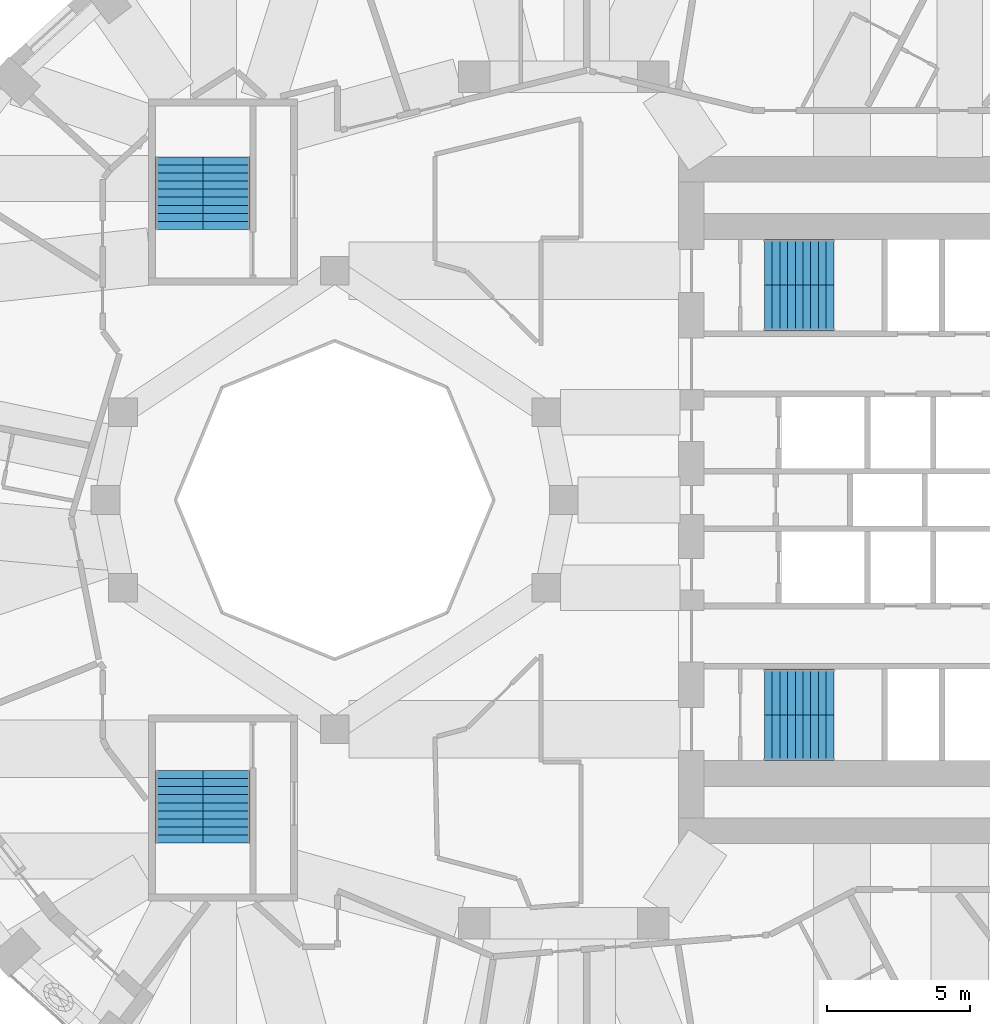
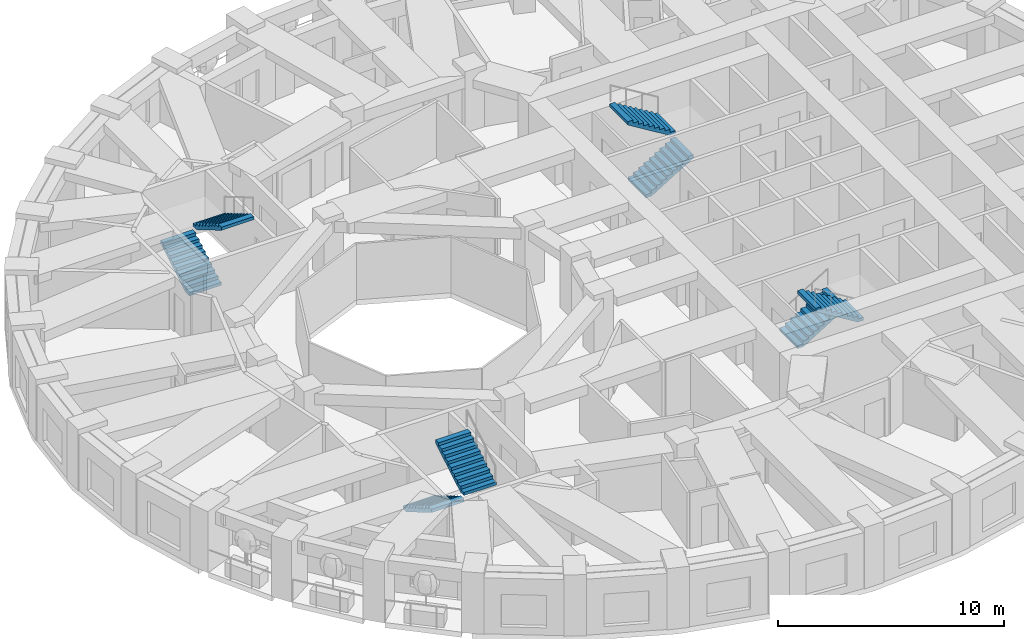
# One storey, part 9 of 12: 8 stair flights, 4 elements without a shape of their own.
"""IFC4 building model written with IfcOpenShell, lengths in metres."""

from ifc_helpers import new_model, si_unit, direction, frame, origin, place, context, subcontext, project, spatial, polyline, outline, extrude, material, type_object, element, aggregate, save


model = new_model("IFC4")

# Units and contexts
model_context = context("Model", 3, precision=1e-05, world=origin(), true_north=direction((0.0, 1.0)))
body_context = subcontext(model_context, "Body", "Model", "MODEL_VIEW")
ifc_project = project(units=[si_unit("LENGTHUNIT", "METRE"), si_unit("AREAUNIT", "SQUARE_METRE"), si_unit("VOLUMEUNIT", "CUBIC_METRE"), si_unit("PLANEANGLEUNIT", "RADIAN"), si_unit("MASSUNIT", "GRAM", prefix="KILO")], contexts=[model_context])

# Site, building, storey
site_placement = place(None, origin())
site = spatial("IfcSite", under=ifc_project, at=site_placement, CompositionType="ELEMENT")
building_placement = place(site_placement, origin())
building = spatial("IfcBuilding", under=site, at=building_placement, Name="Taillehof Tower", CompositionType="ELEMENT")
storey_placement = place(building_placement, frame((0.0, 0.0, 92.199951171875)))
storey = spatial("IfcBuildingStorey", under=building, at=storey_placement, Name="L25", CompositionType="ELEMENT", Elevation=92.199951171875)

# Stair, stair flights
ifc_material_1 = material(Name="Concrete C40/50", Category="concrete")
stair_type = type_object("IfcStairType", Name="Exit stair half-turn", PredefinedType="HALF_TURN_STAIR", material=ifc_material_1)
stair_1_placement = place(storey_placement, origin())
stair_1 = element("IfcStair", 1, at=stair_1_placement, inside=storey, type_object=stair_type, Name="Exit stair S1", PredefinedType="HALF_TURN_STAIR")
ifc_material_2 = material(Name="Concrete C40/50", Category="concrete")
stair_flight_type_1 = type_object("IfcStairFlightType", Name="Stair flight 1600 riser 165.0 going 270", PredefinedType="STRAIGHT", material=ifc_material_2)
stair_flight_1_placement = place(storey_placement, frame((7.0, 6.699951171875, 0.0), z_axis=(0.0, 0.0, 1.0), x_axis=(1.0, 0.0, 0.0)))
stair_flight_1 = element("IfcStairFlight", 2, at=stair_flight_1_placement, type_object=stair_flight_type_1, Name="S1 flight 1", NumberOfRisers=10, NumberOfTreads=9, PredefinedType="STRAIGHT", RiserHeight=0.165, TreadLength=0.27, context=body_context, shape_type="SweptSolid", body=[
    extrude(outline(polyline([(0.0, 0.0), (0.0, 0.00537109375), (0.0, 0.0107421875), (0.0, 0.015869140625), (0.0, 0.021240234375), (0.0, 0.026611328125), (0.0, 0.031982421875), (0.0, 0.037353515625), (0.0, 0.04248046875), (0.0, 0.0478515625), (0.0, 0.05322265625), (0.0, 0.05859375), (0.0, 0.06396484375), (0.0, 0.069091796875), (0.0, 0.074462890625), (0.0, 0.079833984375), (0.0, 0.085205078125), (0.0, 0.090576171875), (0.0, 0.095703125), (0.0, 0.10107421875), (0.0, 0.1064453125), (0.0, 0.11181640625), (0.0, 0.1171875), (0.0, 0.122314453125), (0.0, 0.127685546875), (0.0, 0.133056640625), (0.0, 0.138427734375), (0.0, 0.143798828125), (0.0, 0.14892578125), (0.0, 0.154296875), (0.0, 0.15966796875), (0.0, 0.1650390625), (0.27001953125, 0.1650390625), (0.27001953125, 0.330078125), (0.5400390625, 0.330078125), (0.5400390625, 0.4951171875), (0.81005859375, 0.4951171875), (0.81005859375, 0.659912109375), (1.080078125, 0.659912109375), (1.080078125, 0.824951171875), (1.35009765625, 0.824951171875), (1.35009765625, 0.989990234375), (1.6201171875, 0.989990234375), (1.6201171875, 1.155029296875), (1.889892578125, 1.155029296875), (1.889892578125, 1.320068359375), (2.159912109375, 1.320068359375), (2.159912109375, 1.485107421875), (2.429931640625, 1.485107421875), (2.429931640625, 1.479248046875), (2.429931640625, 1.4736328125), (2.429931640625, 1.468017578125), (2.429931640625, 1.46240234375), (2.429931640625, 1.45654296875), (2.429931640625, 1.450927734375), (2.429931640625, 1.4453125), (2.429931640625, 1.439697265625), (2.429931640625, 1.43408203125), (2.429931640625, 1.42822265625), (2.429931640625, 1.422607421875), (2.429931640625, 1.4169921875), (2.429931640625, 1.411376953125), (2.429931640625, 1.40576171875), (2.429931640625, 1.39990234375), (2.429931640625, 1.394287109375), (2.429931640625, 1.388671875), (2.429931640625, 1.383056640625), (2.429931640625, 1.37744140625), (2.429931640625, 1.37158203125), (2.429931640625, 1.365966796875), (2.429931640625, 1.3603515625), (2.429931640625, 1.354736328125), (2.429931640625, 1.348876953125), (2.429931640625, 1.34326171875), (2.429931640625, 1.337646484375), (2.429931640625, 1.33203125), (2.429931640625, 1.326416015625), (2.429931640625, 1.320556640625), (2.429931640625, 1.31494140625), (2.429931640625, 1.309326171875), (0.287353515625, 0.0), (0.0, 0.0)])), frame((0.0, 0.800048828125, 0.0), z_axis=(0.0, -1.0, 0.0), x_axis=(1.0, 0.0, 0.0)), (0.0, 0.0, 1.0), 1.6),
])
stair_flight_2_placement = place(storey_placement, frame((9.429931640625, 8.300048828125, 1.650146484375), z_axis=(0.0, 0.0, 1.0), x_axis=(-1.0, 0.0, 0.0)))
stair_flight_2 = element("IfcStairFlight", 3, at=stair_flight_2_placement, type_object=stair_flight_type_1, Name="S1 flight 2", NumberOfRisers=10, NumberOfTreads=9, PredefinedType="STRAIGHT", RiserHeight=0.165, TreadLength=0.27, context=body_context, shape_type="SweptSolid", body=[
    extrude(outline(polyline([(0.0, 0.0), (0.0, 0.00537109375), (0.0, 0.0107421875), (0.0, 0.015869140625), (0.0, 0.021240234375), (0.0, 0.026611328125), (0.0, 0.031982421875), (0.0, 0.037353515625), (0.0, 0.04248046875), (0.0, 0.0478515625), (0.0, 0.05322265625), (0.0, 0.05859375), (0.0, 0.06396484375), (0.0, 0.069091796875), (0.0, 0.074462890625), (0.0, 0.079833984375), (0.0, 0.085205078125), (0.0, 0.090576171875), (0.0, 0.095703125), (0.0, 0.10107421875), (0.0, 0.1064453125), (0.0, 0.11181640625), (0.0, 0.1171875), (0.0, 0.122314453125), (0.0, 0.127685546875), (0.0, 0.133056640625), (0.0, 0.138427734375), (0.0, 0.143798828125), (0.0, 0.14892578125), (0.0, 0.154296875), (0.0, 0.15966796875), (0.0, 0.1650390625), (0.27001953125, 0.1650390625), (0.27001953125, 0.330078125), (0.5400390625, 0.330078125), (0.5400390625, 0.4951171875), (0.81005859375, 0.4951171875), (0.81005859375, 0.659912109375), (1.080078125, 0.659912109375), (1.080078125, 0.824951171875), (1.35009765625, 0.824951171875), (1.35009765625, 0.989990234375), (1.6201171875, 0.989990234375), (1.6201171875, 1.155029296875), (1.889892578125, 1.155029296875), (1.889892578125, 1.320068359375), (2.159912109375, 1.320068359375), (2.159912109375, 1.485107421875), (2.429931640625, 1.485107421875), (2.429931640625, 1.479248046875), (2.429931640625, 1.4736328125), (2.429931640625, 1.468017578125), (2.429931640625, 1.46240234375), (2.429931640625, 1.45654296875), (2.429931640625, 1.450927734375), (2.429931640625, 1.4453125), (2.429931640625, 1.439697265625), (2.429931640625, 1.43408203125), (2.429931640625, 1.42822265625), (2.429931640625, 1.422607421875), (2.429931640625, 1.4169921875), (2.429931640625, 1.411376953125), (2.429931640625, 1.40576171875), (2.429931640625, 1.39990234375), (2.429931640625, 1.394287109375), (2.429931640625, 1.388671875), (2.429931640625, 1.383056640625), (2.429931640625, 1.37744140625), (2.429931640625, 1.37158203125), (2.429931640625, 1.365966796875), (2.429931640625, 1.3603515625), (2.429931640625, 1.354736328125), (2.429931640625, 1.348876953125), (2.429931640625, 1.34326171875), (2.429931640625, 1.337646484375), (2.429931640625, 1.33203125), (2.429931640625, 1.326416015625), (2.429931640625, 1.320556640625), (2.429931640625, 1.31494140625), (2.429931640625, 1.309326171875), (0.287353515625, 0.0), (0.0, 0.0)])), frame((0.0, 0.800048828125, 0.0), z_axis=(0.0, -1.0, 0.0), x_axis=(1.0, 0.0, 0.0)), (0.0, 0.0, 1.0), 1.6),
])
aggregate(stair_1, [stair_flight_1, stair_flight_2])

stair_2_placement = place(storey_placement, origin())
stair_2 = element("IfcStair", 4, at=stair_2_placement, inside=storey, type_object=stair_type, Name="Exit stair S2", PredefinedType="HALF_TURN_STAIR")
stair_flight_3_placement = place(storey_placement, frame((7.0, -6.699951171875, 0.0), z_axis=(0.0, 0.0, 1.0), x_axis=(1.0, 0.0, 0.0)))
stair_flight_3 = element("IfcStairFlight", 5, at=stair_flight_3_placement, type_object=stair_flight_type_1, Name="S2 flight 1", NumberOfRisers=10, NumberOfTreads=9, PredefinedType="STRAIGHT", RiserHeight=0.165, TreadLength=0.27, context=body_context, shape_type="SweptSolid", body=[
    extrude(outline(polyline([(0.0, 0.0), (0.0, 0.00537109375), (0.0, 0.0107421875), (0.0, 0.015869140625), (0.0, 0.021240234375), (0.0, 0.026611328125), (0.0, 0.031982421875), (0.0, 0.037353515625), (0.0, 0.04248046875), (0.0, 0.0478515625), (0.0, 0.05322265625), (0.0, 0.05859375), (0.0, 0.06396484375), (0.0, 0.069091796875), (0.0, 0.074462890625), (0.0, 0.079833984375), (0.0, 0.085205078125), (0.0, 0.090576171875), (0.0, 0.095703125), (0.0, 0.10107421875), (0.0, 0.1064453125), (0.0, 0.11181640625), (0.0, 0.1171875), (0.0, 0.122314453125), (0.0, 0.127685546875), (0.0, 0.133056640625), (0.0, 0.138427734375), (0.0, 0.143798828125), (0.0, 0.14892578125), (0.0, 0.154296875), (0.0, 0.15966796875), (0.0, 0.1650390625), (0.27001953125, 0.1650390625), (0.27001953125, 0.330078125), (0.5400390625, 0.330078125), (0.5400390625, 0.4951171875), (0.81005859375, 0.4951171875), (0.81005859375, 0.659912109375), (1.080078125, 0.659912109375), (1.080078125, 0.824951171875), (1.35009765625, 0.824951171875), (1.35009765625, 0.989990234375), (1.6201171875, 0.989990234375), (1.6201171875, 1.155029296875), (1.889892578125, 1.155029296875), (1.889892578125, 1.320068359375), (2.159912109375, 1.320068359375), (2.159912109375, 1.485107421875), (2.429931640625, 1.485107421875), (2.429931640625, 1.479248046875), (2.429931640625, 1.4736328125), (2.429931640625, 1.468017578125), (2.429931640625, 1.46240234375), (2.429931640625, 1.45654296875), (2.429931640625, 1.450927734375), (2.429931640625, 1.4453125), (2.429931640625, 1.439697265625), (2.429931640625, 1.43408203125), (2.429931640625, 1.42822265625), (2.429931640625, 1.422607421875), (2.429931640625, 1.4169921875), (2.429931640625, 1.411376953125), (2.429931640625, 1.40576171875), (2.429931640625, 1.39990234375), (2.429931640625, 1.394287109375), (2.429931640625, 1.388671875), (2.429931640625, 1.383056640625), (2.429931640625, 1.37744140625), (2.429931640625, 1.37158203125), (2.429931640625, 1.365966796875), (2.429931640625, 1.3603515625), (2.429931640625, 1.354736328125), (2.429931640625, 1.348876953125), (2.429931640625, 1.34326171875), (2.429931640625, 1.337646484375), (2.429931640625, 1.33203125), (2.429931640625, 1.326416015625), (2.429931640625, 1.320556640625), (2.429931640625, 1.31494140625), (2.429931640625, 1.309326171875), (0.287353515625, 0.0), (0.0, 0.0)])), frame((0.0, 0.800048828125, 0.0), z_axis=(0.0, -1.0, 0.0), x_axis=(1.0, 0.0, 0.0)), (0.0, 0.0, 1.0), 1.6),
])
stair_flight_4_placement = place(storey_placement, frame((9.429931640625, -8.300048828125, 1.650146484375), z_axis=(0.0, 0.0, 1.0), x_axis=(-1.0, 0.0, 0.0)))
stair_flight_4 = element("IfcStairFlight", 6, at=stair_flight_4_placement, type_object=stair_flight_type_1, Name="S2 flight 2", NumberOfRisers=10, NumberOfTreads=9, PredefinedType="STRAIGHT", RiserHeight=0.165, TreadLength=0.27, context=body_context, shape_type="SweptSolid", body=[
    extrude(outline(polyline([(0.0, 0.0), (0.0, 0.00537109375), (0.0, 0.0107421875), (0.0, 0.015869140625), (0.0, 0.021240234375), (0.0, 0.026611328125), (0.0, 0.031982421875), (0.0, 0.037353515625), (0.0, 0.04248046875), (0.0, 0.0478515625), (0.0, 0.05322265625), (0.0, 0.05859375), (0.0, 0.06396484375), (0.0, 0.069091796875), (0.0, 0.074462890625), (0.0, 0.079833984375), (0.0, 0.085205078125), (0.0, 0.090576171875), (0.0, 0.095703125), (0.0, 0.10107421875), (0.0, 0.1064453125), (0.0, 0.11181640625), (0.0, 0.1171875), (0.0, 0.122314453125), (0.0, 0.127685546875), (0.0, 0.133056640625), (0.0, 0.138427734375), (0.0, 0.143798828125), (0.0, 0.14892578125), (0.0, 0.154296875), (0.0, 0.15966796875), (0.0, 0.1650390625), (0.27001953125, 0.1650390625), (0.27001953125, 0.330078125), (0.5400390625, 0.330078125), (0.5400390625, 0.4951171875), (0.81005859375, 0.4951171875), (0.81005859375, 0.659912109375), (1.080078125, 0.659912109375), (1.080078125, 0.824951171875), (1.35009765625, 0.824951171875), (1.35009765625, 0.989990234375), (1.6201171875, 0.989990234375), (1.6201171875, 1.155029296875), (1.889892578125, 1.155029296875), (1.889892578125, 1.320068359375), (2.159912109375, 1.320068359375), (2.159912109375, 1.485107421875), (2.429931640625, 1.485107421875), (2.429931640625, 1.479248046875), (2.429931640625, 1.4736328125), (2.429931640625, 1.468017578125), (2.429931640625, 1.46240234375), (2.429931640625, 1.45654296875), (2.429931640625, 1.450927734375), (2.429931640625, 1.4453125), (2.429931640625, 1.439697265625), (2.429931640625, 1.43408203125), (2.429931640625, 1.42822265625), (2.429931640625, 1.422607421875), (2.429931640625, 1.4169921875), (2.429931640625, 1.411376953125), (2.429931640625, 1.40576171875), (2.429931640625, 1.39990234375), (2.429931640625, 1.394287109375), (2.429931640625, 1.388671875), (2.429931640625, 1.383056640625), (2.429931640625, 1.37744140625), (2.429931640625, 1.37158203125), (2.429931640625, 1.365966796875), (2.429931640625, 1.3603515625), (2.429931640625, 1.354736328125), (2.429931640625, 1.348876953125), (2.429931640625, 1.34326171875), (2.429931640625, 1.337646484375), (2.429931640625, 1.33203125), (2.429931640625, 1.326416015625), (2.429931640625, 1.320556640625), (2.429931640625, 1.31494140625), (2.429931640625, 1.309326171875), (0.287353515625, 0.0), (0.0, 0.0)])), frame((0.0, 0.800048828125, 0.0), z_axis=(0.0, -1.0, 0.0), x_axis=(1.0, 0.0, 0.0)), (0.0, 0.0, 1.0), 1.6),
])
aggregate(stair_2, [stair_flight_3, stair_flight_4])

stair_3_placement = place(storey_placement, origin())
stair_3 = element("IfcStair", 7, at=stair_3_placement, inside=storey, type_object=stair_type, Name="Exit stair S3", PredefinedType="HALF_TURN_STAIR")
ifc_material_3 = material(Name="Concrete C40/50", Category="concrete")
stair_flight_type_2 = type_object("IfcStairFlightType", Name="Stair flight 1650 riser 165.0 going 280", PredefinedType="STRAIGHT", material=ifc_material_3)
stair_flight_5_placement = place(storey_placement, frame((-13.425048828125, 9.449951171875, 0.0), z_axis=(0.0, 0.0, 1.0), x_axis=(0.0, 1.0, 0.0)))
stair_flight_5 = element("IfcStairFlight", 8, at=stair_flight_5_placement, type_object=stair_flight_type_2, Name="S3 flight 1", NumberOfRisers=10, NumberOfTreads=9, PredefinedType="STRAIGHT", RiserHeight=0.165, TreadLength=0.28, context=body_context, shape_type="SweptSolid", body=[
    extrude(outline(polyline([(0.0, 0.0), (0.0, 0.00537109375), (0.0, 0.0107421875), (0.0, 0.015869140625), (0.0, 0.021240234375), (0.0, 0.026611328125), (0.0, 0.031982421875), (0.0, 0.037353515625), (0.0, 0.04248046875), (0.0, 0.0478515625), (0.0, 0.05322265625), (0.0, 0.05859375), (0.0, 0.06396484375), (0.0, 0.069091796875), (0.0, 0.074462890625), (0.0, 0.079833984375), (0.0, 0.085205078125), (0.0, 0.090576171875), (0.0, 0.095703125), (0.0, 0.10107421875), (0.0, 0.1064453125), (0.0, 0.11181640625), (0.0, 0.1171875), (0.0, 0.122314453125), (0.0, 0.127685546875), (0.0, 0.133056640625), (0.0, 0.138427734375), (0.0, 0.143798828125), (0.0, 0.14892578125), (0.0, 0.154296875), (0.0, 0.15966796875), (0.0, 0.1650390625), (0.280029296875, 0.1650390625), (0.280029296875, 0.330078125), (0.56005859375, 0.330078125), (0.56005859375, 0.4951171875), (0.840087890625, 0.4951171875), (0.840087890625, 0.659912109375), (1.1201171875, 0.659912109375), (1.1201171875, 0.824951171875), (1.39990234375, 0.824951171875), (1.39990234375, 0.989990234375), (1.679931640625, 0.989990234375), (1.679931640625, 1.155029296875), (1.9599609375, 1.155029296875), (1.9599609375, 1.320068359375), (2.239990234375, 1.320068359375), (2.239990234375, 1.485107421875), (2.52001953125, 1.485107421875), (2.52001953125, 1.4794921875), (2.52001953125, 1.473876953125), (2.52001953125, 1.46826171875), (2.52001953125, 1.462646484375), (2.52001953125, 1.45703125), (2.52001953125, 1.451416015625), (2.52001953125, 1.44580078125), (2.52001953125, 1.440185546875), (2.52001953125, 1.4345703125), (2.52001953125, 1.428955078125), (2.52001953125, 1.42333984375), (2.52001953125, 1.417724609375), (2.52001953125, 1.412109375), (2.52001953125, 1.406494140625), (2.52001953125, 1.40087890625), (2.52001953125, 1.395263671875), (2.52001953125, 1.3896484375), (2.52001953125, 1.384033203125), (2.52001953125, 1.37841796875), (2.52001953125, 1.372802734375), (2.52001953125, 1.3671875), (2.52001953125, 1.361572265625), (2.52001953125, 1.35595703125), (2.52001953125, 1.350341796875), (2.52001953125, 1.3447265625), (2.52001953125, 1.339111328125), (2.52001953125, 1.33349609375), (2.52001953125, 1.327880859375), (2.52001953125, 1.322265625), (2.52001953125, 1.316650390625), (2.52001953125, 1.31103515625), (0.295166015625, 0.0), (0.0, 0.0)])), frame((0.0, 0.824951171875, 0.0), z_axis=(0.0, -1.0, 0.0), x_axis=(1.0, 0.0, 0.0)), (0.0, 0.0, 1.0), 1.65),
])
stair_flight_6_placement = place(storey_placement, frame((-11.77490234375, 11.969970703125, 1.650146484375), z_axis=(0.0, 0.0, 1.0), x_axis=(0.0, -1.0, 0.0)))
stair_flight_6 = element("IfcStairFlight", 9, at=stair_flight_6_placement, type_object=stair_flight_type_2, Name="S3 flight 2", NumberOfRisers=10, NumberOfTreads=9, PredefinedType="STRAIGHT", RiserHeight=0.165, TreadLength=0.28, context=body_context, shape_type="SweptSolid", body=[
    extrude(outline(polyline([(0.0, 0.0), (0.0, 0.00537109375), (0.0, 0.0107421875), (0.0, 0.015869140625), (0.0, 0.021240234375), (0.0, 0.026611328125), (0.0, 0.031982421875), (0.0, 0.037353515625), (0.0, 0.04248046875), (0.0, 0.0478515625), (0.0, 0.05322265625), (0.0, 0.05859375), (0.0, 0.06396484375), (0.0, 0.069091796875), (0.0, 0.074462890625), (0.0, 0.079833984375), (0.0, 0.085205078125), (0.0, 0.090576171875), (0.0, 0.095703125), (0.0, 0.10107421875), (0.0, 0.1064453125), (0.0, 0.11181640625), (0.0, 0.1171875), (0.0, 0.122314453125), (0.0, 0.127685546875), (0.0, 0.133056640625), (0.0, 0.138427734375), (0.0, 0.143798828125), (0.0, 0.14892578125), (0.0, 0.154296875), (0.0, 0.15966796875), (0.0, 0.1650390625), (0.280029296875, 0.1650390625), (0.280029296875, 0.330078125), (0.56005859375, 0.330078125), (0.56005859375, 0.4951171875), (0.840087890625, 0.4951171875), (0.840087890625, 0.659912109375), (1.1201171875, 0.659912109375), (1.1201171875, 0.824951171875), (1.39990234375, 0.824951171875), (1.39990234375, 0.989990234375), (1.679931640625, 0.989990234375), (1.679931640625, 1.155029296875), (1.9599609375, 1.155029296875), (1.9599609375, 1.320068359375), (2.239990234375, 1.320068359375), (2.239990234375, 1.485107421875), (2.52001953125, 1.485107421875), (2.52001953125, 1.4794921875), (2.52001953125, 1.473876953125), (2.52001953125, 1.46826171875), (2.52001953125, 1.462646484375), (2.52001953125, 1.45703125), (2.52001953125, 1.451416015625), (2.52001953125, 1.44580078125), (2.52001953125, 1.440185546875), (2.52001953125, 1.4345703125), (2.52001953125, 1.428955078125), (2.52001953125, 1.42333984375), (2.52001953125, 1.417724609375), (2.52001953125, 1.412109375), (2.52001953125, 1.406494140625), (2.52001953125, 1.40087890625), (2.52001953125, 1.395263671875), (2.52001953125, 1.3896484375), (2.52001953125, 1.384033203125), (2.52001953125, 1.37841796875), (2.52001953125, 1.372802734375), (2.52001953125, 1.3671875), (2.52001953125, 1.361572265625), (2.52001953125, 1.35595703125), (2.52001953125, 1.350341796875), (2.52001953125, 1.3447265625), (2.52001953125, 1.339111328125), (2.52001953125, 1.33349609375), (2.52001953125, 1.327880859375), (2.52001953125, 1.322265625), (2.52001953125, 1.316650390625), (2.52001953125, 1.31103515625), (0.295166015625, 0.0), (0.0, 0.0)])), frame((0.0, 0.824951171875, 0.0), z_axis=(0.0, -1.0, 0.0), x_axis=(1.0, 0.0, 0.0)), (0.0, 0.0, 1.0), 1.65),
])
aggregate(stair_3, [stair_flight_5, stair_flight_6])

stair_4_placement = place(storey_placement, origin())
stair_4 = element("IfcStair", 10, at=stair_4_placement, inside=storey, type_object=stair_type, Name="Exit stair S4", PredefinedType="HALF_TURN_STAIR")
stair_flight_7_placement = place(storey_placement, frame((-13.425048828125, -9.449951171875, 0.0), z_axis=(0.0, 0.0, 1.0), x_axis=(0.0, -1.0, 0.0)))
stair_flight_7 = element("IfcStairFlight", 11, at=stair_flight_7_placement, type_object=stair_flight_type_2, Name="S4 flight 1", NumberOfRisers=10, NumberOfTreads=9, PredefinedType="STRAIGHT", RiserHeight=0.165, TreadLength=0.28, context=body_context, shape_type="SweptSolid", body=[
    extrude(outline(polyline([(0.0, 0.0), (0.0, 0.00537109375), (0.0, 0.0107421875), (0.0, 0.015869140625), (0.0, 0.021240234375), (0.0, 0.026611328125), (0.0, 0.031982421875), (0.0, 0.037353515625), (0.0, 0.04248046875), (0.0, 0.0478515625), (0.0, 0.05322265625), (0.0, 0.05859375), (0.0, 0.06396484375), (0.0, 0.069091796875), (0.0, 0.074462890625), (0.0, 0.079833984375), (0.0, 0.085205078125), (0.0, 0.090576171875), (0.0, 0.095703125), (0.0, 0.10107421875), (0.0, 0.1064453125), (0.0, 0.11181640625), (0.0, 0.1171875), (0.0, 0.122314453125), (0.0, 0.127685546875), (0.0, 0.133056640625), (0.0, 0.138427734375), (0.0, 0.143798828125), (0.0, 0.14892578125), (0.0, 0.154296875), (0.0, 0.15966796875), (0.0, 0.1650390625), (0.280029296875, 0.1650390625), (0.280029296875, 0.330078125), (0.56005859375, 0.330078125), (0.56005859375, 0.4951171875), (0.840087890625, 0.4951171875), (0.840087890625, 0.659912109375), (1.1201171875, 0.659912109375), (1.1201171875, 0.824951171875), (1.39990234375, 0.824951171875), (1.39990234375, 0.989990234375), (1.679931640625, 0.989990234375), (1.679931640625, 1.155029296875), (1.9599609375, 1.155029296875), (1.9599609375, 1.320068359375), (2.239990234375, 1.320068359375), (2.239990234375, 1.485107421875), (2.52001953125, 1.485107421875), (2.52001953125, 1.4794921875), (2.52001953125, 1.473876953125), (2.52001953125, 1.46826171875), (2.52001953125, 1.462646484375), (2.52001953125, 1.45703125), (2.52001953125, 1.451416015625), (2.52001953125, 1.44580078125), (2.52001953125, 1.440185546875), (2.52001953125, 1.4345703125), (2.52001953125, 1.428955078125), (2.52001953125, 1.42333984375), (2.52001953125, 1.417724609375), (2.52001953125, 1.412109375), (2.52001953125, 1.406494140625), (2.52001953125, 1.40087890625), (2.52001953125, 1.395263671875), (2.52001953125, 1.3896484375), (2.52001953125, 1.384033203125), (2.52001953125, 1.37841796875), (2.52001953125, 1.372802734375), (2.52001953125, 1.3671875), (2.52001953125, 1.361572265625), (2.52001953125, 1.35595703125), (2.52001953125, 1.350341796875), (2.52001953125, 1.3447265625), (2.52001953125, 1.339111328125), (2.52001953125, 1.33349609375), (2.52001953125, 1.327880859375), (2.52001953125, 1.322265625), (2.52001953125, 1.316650390625), (2.52001953125, 1.31103515625), (0.295166015625, 0.0), (0.0, 0.0)])), frame((0.0, 0.824951171875, 0.0), z_axis=(0.0, -1.0, 0.0), x_axis=(1.0, 0.0, 0.0)), (0.0, 0.0, 1.0), 1.65),
])
stair_flight_8_placement = place(storey_placement, frame((-11.77490234375, -11.969970703125, 1.650146484375), z_axis=(0.0, 0.0, 1.0), x_axis=(0.0, 1.0, 0.0)))
stair_flight_8 = element("IfcStairFlight", 12, at=stair_flight_8_placement, type_object=stair_flight_type_2, Name="S4 flight 2", NumberOfRisers=10, NumberOfTreads=9, PredefinedType="STRAIGHT", RiserHeight=0.165, TreadLength=0.28, context=body_context, shape_type="SweptSolid", body=[
    extrude(outline(polyline([(0.0, 0.0), (0.0, 0.00537109375), (0.0, 0.0107421875), (0.0, 0.015869140625), (0.0, 0.021240234375), (0.0, 0.026611328125), (0.0, 0.031982421875), (0.0, 0.037353515625), (0.0, 0.04248046875), (0.0, 0.0478515625), (0.0, 0.05322265625), (0.0, 0.05859375), (0.0, 0.06396484375), (0.0, 0.069091796875), (0.0, 0.074462890625), (0.0, 0.079833984375), (0.0, 0.085205078125), (0.0, 0.090576171875), (0.0, 0.095703125), (0.0, 0.10107421875), (0.0, 0.1064453125), (0.0, 0.11181640625), (0.0, 0.1171875), (0.0, 0.122314453125), (0.0, 0.127685546875), (0.0, 0.133056640625), (0.0, 0.138427734375), (0.0, 0.143798828125), (0.0, 0.14892578125), (0.0, 0.154296875), (0.0, 0.15966796875), (0.0, 0.1650390625), (0.280029296875, 0.1650390625), (0.280029296875, 0.330078125), (0.56005859375, 0.330078125), (0.56005859375, 0.4951171875), (0.840087890625, 0.4951171875), (0.840087890625, 0.659912109375), (1.1201171875, 0.659912109375), (1.1201171875, 0.824951171875), (1.39990234375, 0.824951171875), (1.39990234375, 0.989990234375), (1.679931640625, 0.989990234375), (1.679931640625, 1.155029296875), (1.9599609375, 1.155029296875), (1.9599609375, 1.320068359375), (2.239990234375, 1.320068359375), (2.239990234375, 1.485107421875), (2.52001953125, 1.485107421875), (2.52001953125, 1.4794921875), (2.52001953125, 1.473876953125), (2.52001953125, 1.46826171875), (2.52001953125, 1.462646484375), (2.52001953125, 1.45703125), (2.52001953125, 1.451416015625), (2.52001953125, 1.44580078125), (2.52001953125, 1.440185546875), (2.52001953125, 1.4345703125), (2.52001953125, 1.428955078125), (2.52001953125, 1.42333984375), (2.52001953125, 1.417724609375), (2.52001953125, 1.412109375), (2.52001953125, 1.406494140625), (2.52001953125, 1.40087890625), (2.52001953125, 1.395263671875), (2.52001953125, 1.3896484375), (2.52001953125, 1.384033203125), (2.52001953125, 1.37841796875), (2.52001953125, 1.372802734375), (2.52001953125, 1.3671875), (2.52001953125, 1.361572265625), (2.52001953125, 1.35595703125), (2.52001953125, 1.350341796875), (2.52001953125, 1.3447265625), (2.52001953125, 1.339111328125), (2.52001953125, 1.33349609375), (2.52001953125, 1.327880859375), (2.52001953125, 1.322265625), (2.52001953125, 1.316650390625), (2.52001953125, 1.31103515625), (0.295166015625, 0.0), (0.0, 0.0)])), frame((0.0, 0.824951171875, 0.0), z_axis=(0.0, -1.0, 0.0), x_axis=(1.0, 0.0, 0.0)), (0.0, 0.0, 1.0), 1.65),
])
aggregate(stair_4, [stair_flight_7, stair_flight_8])

save(model, "model.ifc")
